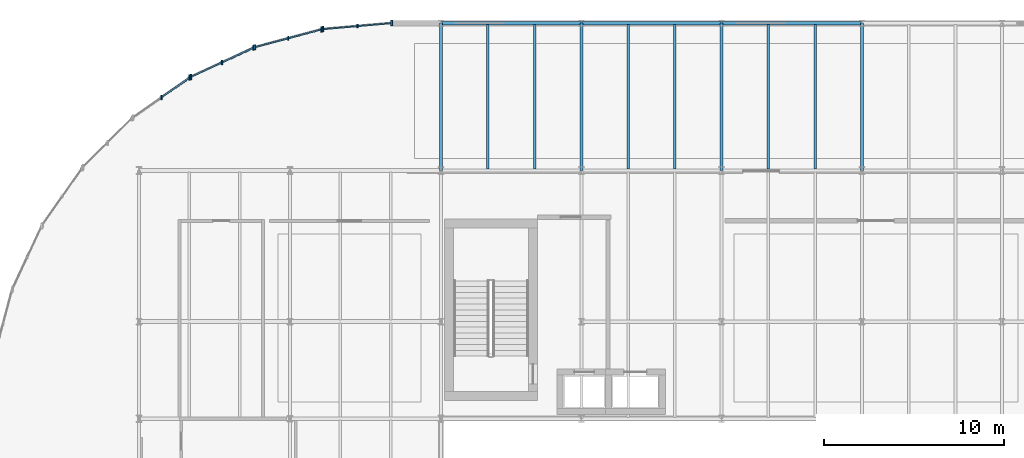
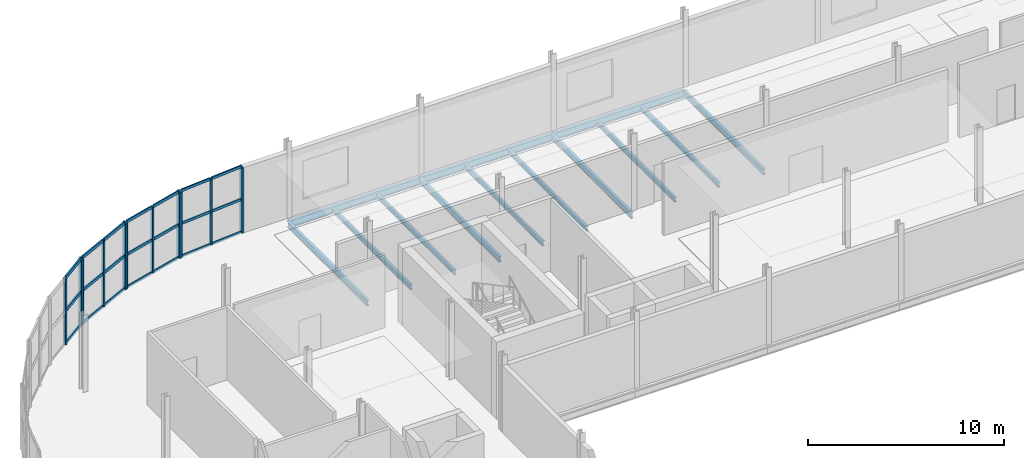
# One storey, part 7 of 15: 32 members, 13 beams, 4 elements without a shape of their own.
"""IFC4 building model written with IfcOpenShell, lengths in metres."""

from ifc_helpers import new_model, si_unit, direction, frame, origin, origin_2d, place, context, subcontext, project, spatial, rectangle, i_section, extrude, material, layer, layer_set, material_profile, profile_set, type_object, element, aggregate, save


model = new_model("IFC4")

# Units and contexts
model_context = context("Model", 3, precision=1e-05, world=origin(), true_north=direction((0.0, 1.0)))
body_context = subcontext(model_context, "Body", "Model", "MODEL_VIEW")
ifc_project = project(units=[si_unit("LENGTHUNIT", "METRE"), si_unit("AREAUNIT", "SQUARE_METRE"), si_unit("VOLUMEUNIT", "CUBIC_METRE"), si_unit("PLANEANGLEUNIT", "RADIAN"), si_unit("MASSUNIT", "GRAM", prefix="KILO")], contexts=[model_context])

# Site, building, storey
site_placement = place(None, origin())
site = spatial("IfcSite", under=ifc_project, at=site_placement, CompositionType="ELEMENT")
building_placement = place(site_placement, origin())
building = spatial("IfcBuilding", under=site, at=building_placement, Name="Sefraquen Railside Congress Hotel", CompositionType="ELEMENT")
storey_placement = place(building_placement, frame((0.0, 0.0, 46.800048828125)))
storey = spatial("IfcBuildingStorey", under=building, at=storey_placement, Name="L11", CompositionType="ELEMENT", Elevation=46.800048828125)

# Beams
ifc_material_1 = material(Name="Steel S355JR", Category="steel")
ifc_material_profile_1 = material_profile(ifc_material_1, i_section(OverallWidth=0.169921875, OverallDepth=0.360107421875, WebThickness=0.008056640625, FlangeThickness=0.0126953125, FilletRadius=0.01806640625, at=origin_2d()), Name="IPE 360")
ifc_profile_set_1 = profile_set([ifc_material_profile_1], Name="Steel S355JR")
beam_type_1 = type_object("IfcBeamType", Name="TB-BM-360", PredefinedType="BEAM", material=ifc_profile_set_1)
for number, where, z_axis, x_axis, name in (
    (1, (25.199951171875, 109.800048828125, -0.43994140625), (0.0, 1.0, 0.0), (-1.0, 0.0, 0.0), "Floor beam BM-L11-2207"),
    (2, (33.0, 109.800048828125, -0.43994140625), (0.0, 1.0, 0.0), (-1.0, 0.0, 0.0), "Floor beam BM-L11-2210"),
    (3, (40.800048828125, 109.800048828125, -0.43994140625), (0.0, 1.0, 0.0), (-1.0, 0.0, 0.0), "Floor beam BM-L11-2213"),
    (4, (48.60009765625, 109.800048828125, -0.43994140625), (0.0, 1.0, 0.0), (-1.0, 0.0, 0.0), "Floor beam BM-L11-2216"),
):
    element("IfcBeam", number, at=place(storey_placement, frame(where, z_axis=z_axis, x_axis=x_axis)), inside=storey, type_object=beam_type_1, Name=name, PredefinedType="BEAM", context=body_context, shape_type="SweptSolid", body=[
        extrude(i_section(OverallWidth=0.169921875, OverallDepth=0.360107421875, WebThickness=0.008056640625, FlangeThickness=0.0126953125, FilletRadius=0.01806640625, at=origin_2d()), origin(), (0.0, 0.0, 1.0), 8.199951171875),
    ])
ifc_material_profile_2 = material_profile(ifc_material_1, i_section(OverallWidth=0.18994140625, OverallDepth=0.449951171875, WebThickness=0.009521484375, FlangeThickness=0.0146484375, FilletRadius=0.02099609375, at=origin_2d()), Name="IPE 450")
ifc_profile_set_2 = profile_set([ifc_material_profile_2], Name="Steel S355JR")
beam_type_2 = type_object("IfcBeamType", Name="TB-BM-450", PredefinedType="BEAM", material=ifc_profile_set_2)
for number, where, z_axis, x_axis, name in (
    (5, (25.199951171875, 118.0, -0.485107421875), (1.0, 0.0, 0.0), (0.0, 1.0, 0.0), "Primary girder BM-L11-2185"),
    (6, (33.0, 118.0, -0.485107421875), (1.0, 0.0, 0.0), (0.0, 1.0, 0.0), "Primary girder BM-L11-2186"),
    (7, (40.800048828125, 118.0, -0.485107421875), (1.0, 0.0, 0.0), (0.0, 1.0, 0.0), "Primary girder BM-L11-2187"),
):
    element("IfcBeam", number, at=place(storey_placement, frame(where, z_axis=z_axis, x_axis=x_axis)), inside=storey, type_object=beam_type_2, Name=name, PredefinedType="BEAM", context=body_context, shape_type="SweptSolid", body=[
        extrude(i_section(OverallWidth=0.18994140625, OverallDepth=0.449951171875, WebThickness=0.009521484375, FlangeThickness=0.0146484375, FilletRadius=0.02099609375, at=origin_2d()), origin(), (0.0, 0.0, 1.0), 7.800048828125),
    ])
ifc_material_profile_3 = material_profile(ifc_material_1, i_section(OverallWidth=0.14990234375, OverallDepth=0.300048828125, WebThickness=0.007080078125, FlangeThickness=0.0107421875, FilletRadius=0.014892578125, at=origin_2d()), Name="IPE 300")
ifc_profile_set_3 = profile_set([ifc_material_profile_3], Name="Steel S355JR")
beam_type_3 = type_object("IfcBeamType", Name="TB-JST-300", PredefinedType="JOIST", material=ifc_profile_set_3)
for number, where, z_axis, x_axis, name in (
    (8, (27.800048828125, 109.875, -0.41015625), (0.0, 1.0, 0.0), (-1.0, 0.0, 0.0), "Composite floor joist BM-L11-J1482"),
    (9, (30.39990234375, 109.875, -0.41015625), (0.0, 1.0, 0.0), (-1.0, 0.0, 0.0), "Composite floor joist BM-L11-J1483"),
    (10, (35.60009765625, 109.875, -0.41015625), (0.0, 1.0, 0.0), (-1.0, 0.0, 0.0), "Composite floor joist BM-L11-J1488"),
    (11, (38.199951171875, 109.875, -0.41015625), (0.0, 1.0, 0.0), (-1.0, 0.0, 0.0), "Composite floor joist BM-L11-J1489"),
    (12, (43.39990234375, 109.875, -0.41015625), (0.0, 1.0, 0.0), (-1.0, 0.0, 0.0), "Composite floor joist BM-L11-J1494"),
    (13, (46.0, 109.875, -0.41015625), (0.0, 1.0, 0.0), (-1.0, 0.0, 0.0), "Composite floor joist BM-L11-J1495"),
):
    element("IfcBeam", number, at=place(storey_placement, frame(where, z_axis=z_axis, x_axis=x_axis)), inside=storey, type_object=beam_type_3, Name=name, PredefinedType="JOIST", context=body_context, shape_type="SweptSolid", body=[
        extrude(i_section(OverallWidth=0.14990234375, OverallDepth=0.300048828125, WebThickness=0.007080078125, FlangeThickness=0.0107421875, FilletRadius=0.014892578125, at=origin_2d()), origin(), (0.0, 0.0, 1.0), 8.050048828125),
    ])

# Curtain wall, member
ifc_material_2 = material(Name="Thermally broken anodised aluminium and low-E double glazing", Category="aluminium")
ifc_layer_1 = layer(ifc_material_2, 0.199951171875)
ifc_layer_set_1 = layer_set([ifc_layer_1], Name="Thermally broken anodised aluminium and low-E double glazing")
curtain_wall_type_1 = type_object("IfcCurtainWallType", Name="TCW-UCW-04", PredefinedType="USERDEFINED", material=ifc_layer_set_1)
curtain_wall_1_placement = place(storey_placement, origin())
curtain_wall_1 = element("IfcCurtainWall", 14, at=curtain_wall_1_placement, inside=storey, type_object=curtain_wall_type_1, Name="Rotunda L11 curved curtain wall facet 1", ObjectType="UNITISED CURTAIN WALL", PredefinedType="USERDEFINED")
ifc_material_3 = material(Name="Thermally broken anodised aluminium 6063-T6", Category="aluminium")
ifc_material_profile_4 = material_profile(ifc_material_3, rectangle(XDim=0.070068359375, YDim=0.199951171875, at=origin_2d()), Name="CWM 70x200")
ifc_profile_set_4 = profile_set([ifc_material_profile_4], Name="Thermally broken anodised aluminium 6063-T6")
member_type_1 = type_object("IfcMemberType", Name="TM-CWM-03", PredefinedType="MULLION", material=ifc_profile_set_4)
member_1_placement = place(storey_placement, frame((20.54638671875, 117.8291015625, 0.0), z_axis=(0.0, 0.0, 1.0), x_axis=(1.0, 0.0, 0.0)))
member_1 = element("IfcMember", 15, at=member_1_placement, type_object=member_type_1, Name="CW-L11-ROT-01 mullion 2", PredefinedType="MULLION", context=body_context, shape_type="SweptSolid", body=[
    extrude(rectangle(XDim=0.070068359375, YDim=0.199951171875, at=origin_2d()), origin(), (0.0, 0.0, 1.0), 4.08984375),
])

ifc_layer_2 = layer(ifc_material_2, 0.199951171875)
ifc_layer_set_2 = layer_set([ifc_layer_2], Name="Thermally broken anodised aluminium and low-E double glazing")
curtain_wall_type_2 = type_object("IfcCurtainWallType", Name="TCW-UCW-05", PredefinedType="USERDEFINED", material=ifc_layer_set_2)
curtain_wall_2_placement = place(storey_placement, origin())
curtain_wall_2 = element("IfcCurtainWall", 16, at=curtain_wall_2_placement, inside=storey, type_object=curtain_wall_type_2, Name="Rotunda L11 curved curtain wall facet 2", ObjectType="UNITISED CURTAIN WALL", PredefinedType="USERDEFINED")
ifc_material_profile_5 = material_profile(ifc_material_3, rectangle(XDim=0.074951171875, YDim=0.219970703125, at=origin_2d()), Name="CWM 75x220")
ifc_profile_set_5 = profile_set([ifc_material_profile_5], Name="Thermally broken anodised aluminium 6063-T6")
member_type_2 = type_object("IfcMemberType", Name="TM-CWM-04", PredefinedType="MULLION", material=ifc_profile_set_5)
member_2_placement = place(storey_placement, frame((16.69873046875, 117.150634765625, 0.0), z_axis=(0.0, 0.0, 1.0), x_axis=(1.0, 0.0, 0.0)))
member_2 = element("IfcMember", 17, at=member_2_placement, type_object=member_type_2, Name="CW-L11-ROT-02 mullion 2", PredefinedType="MULLION", context=body_context, shape_type="SweptSolid", body=[
    extrude(rectangle(XDim=0.074951171875, YDim=0.219970703125, at=origin_2d()), origin(), (0.0, 0.0, 1.0), 4.08984375),
])

ifc_layer_3 = layer(ifc_material_2, 0.199951171875)
ifc_layer_set_3 = layer_set([ifc_layer_3], Name="Thermally broken anodised aluminium and low-E double glazing")
curtain_wall_type_3 = type_object("IfcCurtainWallType", Name="TCW-UCW-06", PredefinedType="USERDEFINED", material=ifc_layer_set_3)
curtain_wall_3_placement = place(storey_placement, origin())
curtain_wall_3 = element("IfcCurtainWall", 18, at=curtain_wall_3_placement, inside=storey, type_object=curtain_wall_type_3, Name="Rotunda L11 curved curtain wall facet 3", ObjectType="UNITISED CURTAIN WALL", PredefinedType="USERDEFINED")
ifc_material_profile_6 = material_profile(ifc_material_3, rectangle(XDim=0.080078125, YDim=0.239990234375, at=origin_2d()), Name="CWM 80x240")
ifc_profile_set_6 = profile_set([ifc_material_profile_6], Name="Thermally broken anodised aluminium 6063-T6")
member_type_3 = type_object("IfcMemberType", Name="TM-CWM-05", PredefinedType="MULLION", material=ifc_profile_set_6)
member_3_placement = place(storey_placement, frame((13.02734375, 115.814208984375, 0.0), z_axis=(0.0, 0.0, 1.0), x_axis=(1.0, 0.0, 0.0)))
member_3 = element("IfcMember", 19, at=member_3_placement, type_object=member_type_3, Name="CW-L11-ROT-03 mullion 2", PredefinedType="MULLION", context=body_context, shape_type="SweptSolid", body=[
    extrude(rectangle(XDim=0.080078125, YDim=0.239990234375, at=origin_2d()), origin(), (0.0, 0.0, 1.0), 4.08984375),
])

ifc_layer_4 = layer(ifc_material_2, 0.199951171875)
ifc_layer_set_4 = layer_set([ifc_layer_4], Name="Thermally broken anodised aluminium and low-E double glazing")
curtain_wall_type_4 = type_object("IfcCurtainWallType", Name="TCW-UCW-07", PredefinedType="USERDEFINED", material=ifc_layer_set_4)
curtain_wall_4_placement = place(storey_placement, origin())
curtain_wall_4 = element("IfcCurtainWall", 20, at=curtain_wall_4_placement, inside=storey, type_object=curtain_wall_type_4, Name="Rotunda L11 curved curtain wall facet 4", ObjectType="UNITISED CURTAIN WALL", PredefinedType="USERDEFINED")
ifc_material_profile_7 = material_profile(ifc_material_3, rectangle(XDim=0.0849609375, YDim=0.260009765625, at=origin_2d()), Name="CWM 85x260")
ifc_profile_set_7 = profile_set([ifc_material_profile_7], Name="Thermally broken anodised aluminium 6063-T6")
member_type_4 = type_object("IfcMemberType", Name="TM-CWM-06", PredefinedType="MULLION", material=ifc_profile_set_7)
member_4_placement = place(storey_placement, frame((9.643798828125, 113.86083984375, 0.0), z_axis=(0.0, 0.0, 1.0), x_axis=(1.0, 0.0, 0.0)))
member_4 = element("IfcMember", 21, at=member_4_placement, type_object=member_type_4, Name="CW-L11-ROT-04 mullion 2", PredefinedType="MULLION", context=body_context, shape_type="SweptSolid", body=[
    extrude(rectangle(XDim=0.0849609375, YDim=0.260009765625, at=origin_2d()), origin(), (0.0, 0.0, 1.0), 4.08984375),
])

# Member
ifc_material_profile_8 = material_profile(ifc_material_3, rectangle(XDim=0.094970703125, YDim=0.300048828125, at=origin_2d()), Name="CWM 95x300")
ifc_profile_set_8 = profile_set([ifc_material_profile_8], Name="Thermally broken anodised aluminium 6063-T6")
member_type_5 = type_object("IfcMemberType", Name="TM-CWM-08", PredefinedType="MULLION", material=ifc_profile_set_8)
member_5_placement = place(storey_placement, frame((22.460205078125, 117.99658203125, 0.0), z_axis=(0.0, 0.0, 1.0), x_axis=(1.0, 0.0, 0.0)))
member_5 = element("IfcMember", 22, at=member_5_placement, type_object=member_type_5, Name="CW-L11-ROT-01 mullion 1", PredefinedType="MULLION", context=body_context, shape_type="SweptSolid", body=[
    extrude(rectangle(XDim=0.094970703125, YDim=0.300048828125, at=origin_2d()), origin(), (0.0, 0.0, 1.0), 4.08984375),
])

member_6_placement = place(storey_placement, frame((18.6328125, 117.66162109375, 0.0), z_axis=(0.0, 0.0, 1.0), x_axis=(1.0, 0.0, 0.0)))
member_6 = element("IfcMember", 23, at=member_6_placement, type_object=member_type_5, Name="CW-L11-ROT-01 mullion 3", PredefinedType="MULLION", context=body_context, shape_type="SweptSolid", body=[
    extrude(rectangle(XDim=0.094970703125, YDim=0.300048828125, at=origin_2d()), origin(), (0.0, 0.0, 1.0), 4.08984375),
])

member_7_placement = place(storey_placement, frame((18.55419921875, 117.647705078125, 0.0), z_axis=(0.0, 0.0, 1.0), x_axis=(1.0, 0.0, 0.0)))
member_7 = element("IfcMember", 24, at=member_7_placement, type_object=member_type_5, Name="CW-L11-ROT-02 mullion 1", PredefinedType="MULLION", context=body_context, shape_type="SweptSolid", body=[
    extrude(rectangle(XDim=0.094970703125, YDim=0.300048828125, at=origin_2d()), origin(), (0.0, 0.0, 1.0), 4.08984375),
])

member_8_placement = place(storey_placement, frame((14.843017578125, 116.653564453125, 0.0), z_axis=(0.0, 0.0, 1.0), x_axis=(1.0, 0.0, 0.0)))
member_8 = element("IfcMember", 25, at=member_8_placement, type_object=member_type_5, Name="CW-L11-ROT-02 mullion 3", PredefinedType="MULLION", context=body_context, shape_type="SweptSolid", body=[
    extrude(rectangle(XDim=0.094970703125, YDim=0.300048828125, at=origin_2d()), origin(), (0.0, 0.0, 1.0), 4.08984375),
])

member_9_placement = place(storey_placement, frame((14.768310546875, 116.626220703125, 0.0), z_axis=(0.0, 0.0, 1.0), x_axis=(1.0, 0.0, 0.0)))
member_9 = element("IfcMember", 26, at=member_9_placement, type_object=member_type_5, Name="CW-L11-ROT-03 mullion 1", PredefinedType="MULLION", context=body_context, shape_type="SweptSolid", body=[
    extrude(rectangle(XDim=0.094970703125, YDim=0.300048828125, at=origin_2d()), origin(), (0.0, 0.0, 1.0), 4.08984375),
])

member_10_placement = place(storey_placement, frame((11.286376953125, 115.00244140625, 0.0), z_axis=(0.0, 0.0, 1.0), x_axis=(1.0, 0.0, 0.0)))
member_10 = element("IfcMember", 27, at=member_10_placement, type_object=member_type_5, Name="CW-L11-ROT-03 mullion 3", PredefinedType="MULLION", context=body_context, shape_type="SweptSolid", body=[
    extrude(rectangle(XDim=0.094970703125, YDim=0.300048828125, at=origin_2d()), origin(), (0.0, 0.0, 1.0), 4.08984375),
])

member_11_placement = place(storey_placement, frame((11.21728515625, 114.962646484375, 0.0), z_axis=(0.0, 0.0, 1.0), x_axis=(1.0, 0.0, 0.0)))
member_11 = element("IfcMember", 28, at=member_11_placement, type_object=member_type_5, Name="CW-L11-ROT-04 mullion 1", PredefinedType="MULLION", context=body_context, shape_type="SweptSolid", body=[
    extrude(rectangle(XDim=0.094970703125, YDim=0.300048828125, at=origin_2d()), origin(), (0.0, 0.0, 1.0), 4.08984375),
])

ifc_material_profile_9 = material_profile(ifc_material_3, rectangle(XDim=0.074951171875, YDim=0.1650390625, at=origin_2d()), Name="CWT 75x165")
ifc_profile_set_9 = profile_set([ifc_material_profile_9], Name="Thermally broken anodised aluminium 6063-T6")
member_type_6 = type_object("IfcMemberType", Name="TM-CWT-04", PredefinedType="USERDEFINED", material=ifc_profile_set_9)
member_12_placement = place(storey_placement, frame((22.415283203125, 117.99267578125, 0.0), z_axis=(-0.996190387898, -0.08720499447, 0.0), x_axis=(0.08720499447, -0.996190387898, 0.0)))
member_12 = element("IfcMember", 29, at=member_12_placement, type_object=member_type_6, Name="CW-L11-ROT-01 transom 1.1", ObjectType="TRANSOM", PredefinedType="USERDEFINED", context=body_context, shape_type="SweptSolid", body=[
    extrude(rectangle(XDim=0.074951171875, YDim=0.1650390625, at=origin_2d()), origin(), (0.0, 0.0, 1.0), 1.8310546875),
])

member_13_placement = place(storey_placement, frame((20.501708984375, 117.8251953125, 0.0), z_axis=(-0.996191401715, -0.087193412302, 0.0), x_axis=(0.087193412302, -0.996191401715, 0.0)))
member_13 = element("IfcMember", 30, at=member_13_placement, type_object=member_type_6, Name="CW-L11-ROT-01 transom 1.2", ObjectType="TRANSOM", PredefinedType="USERDEFINED", context=body_context, shape_type="SweptSolid", body=[
    extrude(rectangle(XDim=0.074951171875, YDim=0.1650390625, at=origin_2d()), origin(), (0.0, 0.0, 1.0), 1.831298828125),
])

member_14_placement = place(storey_placement, frame((22.415283203125, 117.99267578125, 2.044921875), z_axis=(-0.996190387898, -0.08720499447, 0.0), x_axis=(0.08720499447, -0.996190387898, 0.0)))
member_14 = element("IfcMember", 31, at=member_14_placement, type_object=member_type_6, Name="CW-L11-ROT-01 transom 2.1", ObjectType="TRANSOM", PredefinedType="USERDEFINED", context=body_context, shape_type="SweptSolid", body=[
    extrude(rectangle(XDim=0.074951171875, YDim=0.1650390625, at=origin_2d()), origin(), (0.0, 0.0, 1.0), 1.8310546875),
])

member_15_placement = place(storey_placement, frame((20.501708984375, 117.8251953125, 2.044921875), z_axis=(-0.996191401715, -0.087193412302, 0.0), x_axis=(0.087193412302, -0.996191401715, 0.0)))
member_15 = element("IfcMember", 32, at=member_15_placement, type_object=member_type_6, Name="CW-L11-ROT-01 transom 2.2", ObjectType="TRANSOM", PredefinedType="USERDEFINED", context=body_context, shape_type="SweptSolid", body=[
    extrude(rectangle(XDim=0.074951171875, YDim=0.1650390625, at=origin_2d()), origin(), (0.0, 0.0, 1.0), 1.831298828125),
])

member_16_placement = place(storey_placement, frame((22.415283203125, 117.99267578125, 4.08984375), z_axis=(-0.996190387898, -0.08720499447, 0.0), x_axis=(0.08720499447, -0.996190387898, 0.0)))
member_16 = element("IfcMember", 33, at=member_16_placement, type_object=member_type_6, Name="CW-L11-ROT-01 transom 3.1", ObjectType="TRANSOM", PredefinedType="USERDEFINED", context=body_context, shape_type="SweptSolid", body=[
    extrude(rectangle(XDim=0.074951171875, YDim=0.1650390625, at=origin_2d()), origin(), (0.0, 0.0, 1.0), 1.8310546875),
])

member_17_placement = place(storey_placement, frame((20.501708984375, 117.8251953125, 4.08984375), z_axis=(-0.996191401715, -0.087193412302, 0.0), x_axis=(0.087193412302, -0.996191401715, 0.0)))
member_17 = element("IfcMember", 34, at=member_17_placement, type_object=member_type_6, Name="CW-L11-ROT-01 transom 3.2", ObjectType="TRANSOM", PredefinedType="USERDEFINED", context=body_context, shape_type="SweptSolid", body=[
    extrude(rectangle(XDim=0.074951171875, YDim=0.1650390625, at=origin_2d()), origin(), (0.0, 0.0, 1.0), 1.831298828125),
])

aggregate(curtain_wall_1, [member_5, member_1, member_6, member_12, member_13, member_14, member_15, member_16, member_17])

ifc_material_profile_10 = material_profile(ifc_material_3, rectangle(XDim=0.080078125, YDim=0.179931640625, at=origin_2d()), Name="CWT 80x180")
ifc_profile_set_10 = profile_set([ifc_material_profile_10], Name="Thermally broken anodised aluminium 6063-T6")
member_type_7 = type_object("IfcMemberType", Name="TM-CWT-05", PredefinedType="USERDEFINED", material=ifc_profile_set_10)
member_18_placement = place(storey_placement, frame((18.5107421875, 117.63623046875, 0.0), z_axis=(-0.965893282759, -0.25894046868, 0.0), x_axis=(0.25894046868, -0.965893282759, 0.0)))
member_18 = element("IfcMember", 35, at=member_18_placement, type_object=member_type_7, Name="CW-L11-ROT-02 transom 1.1", ObjectType="TRANSOM", PredefinedType="USERDEFINED", context=body_context, shape_type="SweptSolid", body=[
    extrude(rectangle(XDim=0.080078125, YDim=0.179931640625, at=origin_2d()), origin(), (0.0, 0.0, 1.0), 1.8310546875),
])

member_19_placement = place(storey_placement, frame((16.6552734375, 117.138916015625, 0.0), z_axis=(-0.965926624666, -0.258816065499, 0.0), x_axis=(0.258816065499, -0.965926624666, 0.0)))
member_19 = element("IfcMember", 36, at=member_19_placement, type_object=member_type_7, Name="CW-L11-ROT-02 transom 1.2", ObjectType="TRANSOM", PredefinedType="USERDEFINED", context=body_context, shape_type="SweptSolid", body=[
    extrude(rectangle(XDim=0.080078125, YDim=0.179931640625, at=origin_2d()), origin(), (0.0, 0.0, 1.0), 1.8310546875),
])

member_20_placement = place(storey_placement, frame((18.5107421875, 117.63623046875, 2.044921875), z_axis=(-0.965893282759, -0.25894046868, 0.0), x_axis=(0.25894046868, -0.965893282759, 0.0)))
member_20 = element("IfcMember", 37, at=member_20_placement, type_object=member_type_7, Name="CW-L11-ROT-02 transom 2.1", ObjectType="TRANSOM", PredefinedType="USERDEFINED", context=body_context, shape_type="SweptSolid", body=[
    extrude(rectangle(XDim=0.080078125, YDim=0.179931640625, at=origin_2d()), origin(), (0.0, 0.0, 1.0), 1.8310546875),
])

member_21_placement = place(storey_placement, frame((16.6552734375, 117.138916015625, 2.044921875), z_axis=(-0.965926624666, -0.258816065499, 0.0), x_axis=(0.258816065499, -0.965926624666, 0.0)))
member_21 = element("IfcMember", 38, at=member_21_placement, type_object=member_type_7, Name="CW-L11-ROT-02 transom 2.2", ObjectType="TRANSOM", PredefinedType="USERDEFINED", context=body_context, shape_type="SweptSolid", body=[
    extrude(rectangle(XDim=0.080078125, YDim=0.179931640625, at=origin_2d()), origin(), (0.0, 0.0, 1.0), 1.8310546875),
])

member_22_placement = place(storey_placement, frame((18.5107421875, 117.63623046875, 4.08984375), z_axis=(-0.965893282759, -0.25894046868, 0.0), x_axis=(0.25894046868, -0.965893282759, 0.0)))
member_22 = element("IfcMember", 39, at=member_22_placement, type_object=member_type_7, Name="CW-L11-ROT-02 transom 3.1", ObjectType="TRANSOM", PredefinedType="USERDEFINED", context=body_context, shape_type="SweptSolid", body=[
    extrude(rectangle(XDim=0.080078125, YDim=0.179931640625, at=origin_2d()), origin(), (0.0, 0.0, 1.0), 1.8310546875),
])

member_23_placement = place(storey_placement, frame((16.6552734375, 117.138916015625, 4.08984375), z_axis=(-0.965926624666, -0.258816065499, 0.0), x_axis=(0.258816065499, -0.965926624666, 0.0)))
member_23 = element("IfcMember", 40, at=member_23_placement, type_object=member_type_7, Name="CW-L11-ROT-02 transom 3.2", ObjectType="TRANSOM", PredefinedType="USERDEFINED", context=body_context, shape_type="SweptSolid", body=[
    extrude(rectangle(XDim=0.080078125, YDim=0.179931640625, at=origin_2d()), origin(), (0.0, 0.0, 1.0), 1.8310546875),
])

aggregate(curtain_wall_2, [member_7, member_2, member_8, member_18, member_19, member_20, member_21, member_22, member_23])

ifc_material_profile_11 = material_profile(ifc_material_3, rectangle(XDim=0.0849609375, YDim=0.195068359375, at=origin_2d()), Name="CWT 85x195")
ifc_profile_set_11 = profile_set([ifc_material_profile_11], Name="Thermally broken anodised aluminium 6063-T6")
member_type_8 = type_object("IfcMemberType", Name="TM-CWT-06", PredefinedType="USERDEFINED", material=ifc_profile_set_11)
member_24_placement = place(storey_placement, frame((14.727294921875, 116.607177734375, 0.0), z_axis=(-0.906309158253, -0.422615321145, 0.0), x_axis=(0.422615321145, -0.906309158253, 0.0)))
member_24 = element("IfcMember", 41, at=member_24_placement, type_object=member_type_8, Name="CW-L11-ROT-03 transom 1.1", ObjectType="TRANSOM", PredefinedType="USERDEFINED", context=body_context, shape_type="SweptSolid", body=[
    extrude(rectangle(XDim=0.0849609375, YDim=0.195068359375, at=origin_2d()), origin(), (0.0, 0.0, 1.0), 1.830810546875),
])

member_25_placement = place(storey_placement, frame((12.986572265625, 115.79541015625, 0.0), z_axis=(-0.906281900386, -0.422673771403, 0.0), x_axis=(0.422673771403, -0.906281900386, 0.0)))
member_25 = element("IfcMember", 42, at=member_25_placement, type_object=member_type_8, Name="CW-L11-ROT-03 transom 1.2", ObjectType="TRANSOM", PredefinedType="USERDEFINED", context=body_context, shape_type="SweptSolid", body=[
    extrude(rectangle(XDim=0.0849609375, YDim=0.195068359375, at=origin_2d()), origin(), (0.0, 0.0, 1.0), 1.8310546875),
])

member_26_placement = place(storey_placement, frame((14.727294921875, 116.607177734375, 2.044921875), z_axis=(-0.906309158253, -0.422615321145, 0.0), x_axis=(0.422615321145, -0.906309158253, 0.0)))
member_26 = element("IfcMember", 43, at=member_26_placement, type_object=member_type_8, Name="CW-L11-ROT-03 transom 2.1", ObjectType="TRANSOM", PredefinedType="USERDEFINED", context=body_context, shape_type="SweptSolid", body=[
    extrude(rectangle(XDim=0.0849609375, YDim=0.195068359375, at=origin_2d()), origin(), (0.0, 0.0, 1.0), 1.830810546875),
])

member_27_placement = place(storey_placement, frame((12.986572265625, 115.79541015625, 2.044921875), z_axis=(-0.906281900386, -0.422673771403, 0.0), x_axis=(0.422673771403, -0.906281900386, 0.0)))
member_27 = element("IfcMember", 44, at=member_27_placement, type_object=member_type_8, Name="CW-L11-ROT-03 transom 2.2", ObjectType="TRANSOM", PredefinedType="USERDEFINED", context=body_context, shape_type="SweptSolid", body=[
    extrude(rectangle(XDim=0.0849609375, YDim=0.195068359375, at=origin_2d()), origin(), (0.0, 0.0, 1.0), 1.8310546875),
])

member_28_placement = place(storey_placement, frame((14.727294921875, 116.607177734375, 4.08984375), z_axis=(-0.906309158253, -0.422615321145, 0.0), x_axis=(0.422615321145, -0.906309158253, 0.0)))
member_28 = element("IfcMember", 45, at=member_28_placement, type_object=member_type_8, Name="CW-L11-ROT-03 transom 3.1", ObjectType="TRANSOM", PredefinedType="USERDEFINED", context=body_context, shape_type="SweptSolid", body=[
    extrude(rectangle(XDim=0.0849609375, YDim=0.195068359375, at=origin_2d()), origin(), (0.0, 0.0, 1.0), 1.830810546875),
])

member_29_placement = place(storey_placement, frame((12.986572265625, 115.79541015625, 4.08984375), z_axis=(-0.906281900386, -0.422673771403, 0.0), x_axis=(0.422673771403, -0.906281900386, 0.0)))
member_29 = element("IfcMember", 46, at=member_29_placement, type_object=member_type_8, Name="CW-L11-ROT-03 transom 3.2", ObjectType="TRANSOM", PredefinedType="USERDEFINED", context=body_context, shape_type="SweptSolid", body=[
    extrude(rectangle(XDim=0.0849609375, YDim=0.195068359375, at=origin_2d()), origin(), (0.0, 0.0, 1.0), 1.8310546875),
])

aggregate(curtain_wall_3, [member_9, member_3, member_10, member_24, member_25, member_26, member_27, member_28, member_29])

ifc_material_profile_12 = material_profile(ifc_material_3, rectangle(XDim=0.090087890625, YDim=0.2099609375, at=origin_2d()), Name="CWT 90x210")
ifc_profile_set_12 = profile_set([ifc_material_profile_12], Name="Thermally broken anodised aluminium 6063-T6")
member_type_9 = type_object("IfcMemberType", Name="TM-CWT-07", PredefinedType="USERDEFINED", material=ifc_profile_set_12)
member_30_placement = place(storey_placement, frame((11.180419921875, 114.93701171875, 0.0), z_axis=(-0.819156749665, -0.573569716318, 0.0), x_axis=(0.573569716318, -0.819156749665, 0.0)))
member_30 = element("IfcMember", 47, at=member_30_placement, type_object=member_type_9, Name="CW-L11-ROT-04 transom 1.1", ObjectType="TRANSOM", PredefinedType="USERDEFINED", context=body_context, shape_type="SweptSolid", body=[
    extrude(rectangle(XDim=0.090087890625, YDim=0.2099609375, at=origin_2d()), origin(), (0.0, 0.0, 1.0), 1.8310546875),
])

member_31_placement = place(storey_placement, frame((11.180419921875, 114.93701171875, 2.044921875), z_axis=(-0.819156749665, -0.573569716318, 0.0), x_axis=(0.573569716318, -0.819156749665, 0.0)))
member_31 = element("IfcMember", 48, at=member_31_placement, type_object=member_type_9, Name="CW-L11-ROT-04 transom 2.1", ObjectType="TRANSOM", PredefinedType="USERDEFINED", context=body_context, shape_type="SweptSolid", body=[
    extrude(rectangle(XDim=0.090087890625, YDim=0.2099609375, at=origin_2d()), origin(), (0.0, 0.0, 1.0), 1.8310546875),
])

member_32_placement = place(storey_placement, frame((11.180419921875, 114.93701171875, 4.08984375), z_axis=(-0.819156749665, -0.573569716318, 0.0), x_axis=(0.573569716318, -0.819156749665, 0.0)))
member_32 = element("IfcMember", 49, at=member_32_placement, type_object=member_type_9, Name="CW-L11-ROT-04 transom 3.1", ObjectType="TRANSOM", PredefinedType="USERDEFINED", context=body_context, shape_type="SweptSolid", body=[
    extrude(rectangle(XDim=0.090087890625, YDim=0.2099609375, at=origin_2d()), origin(), (0.0, 0.0, 1.0), 1.8310546875),
])

aggregate(curtain_wall_4, [member_11, member_4, member_30, member_31, member_32])

save(model, "model.ifc")
